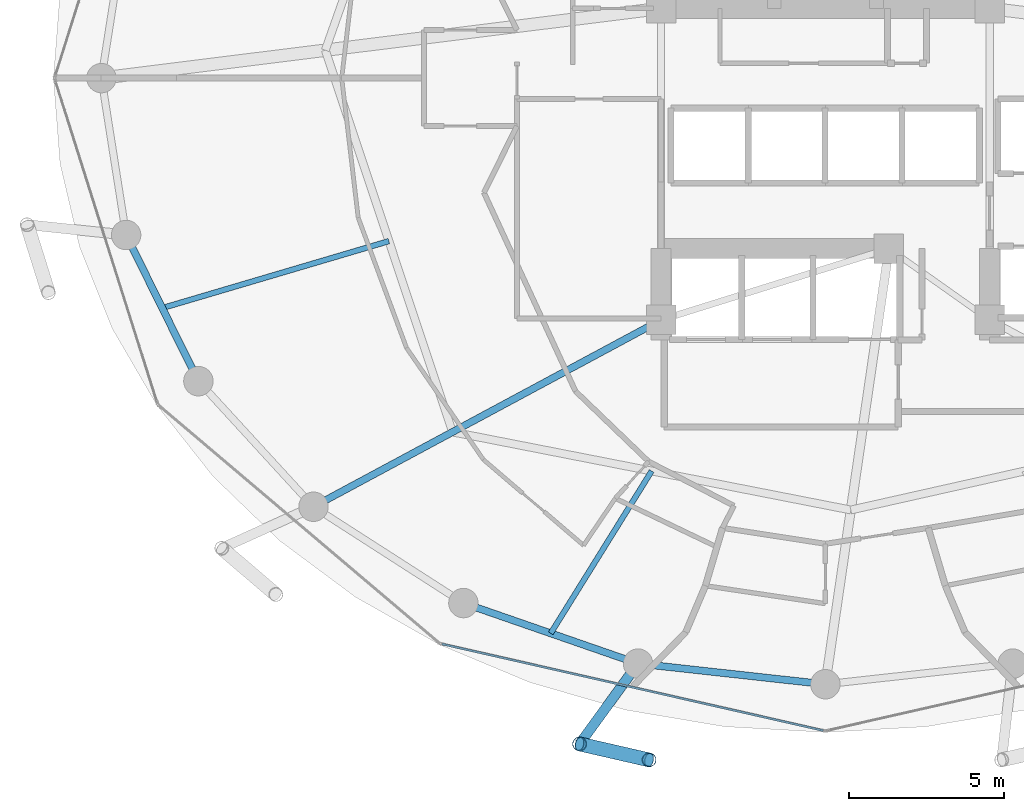
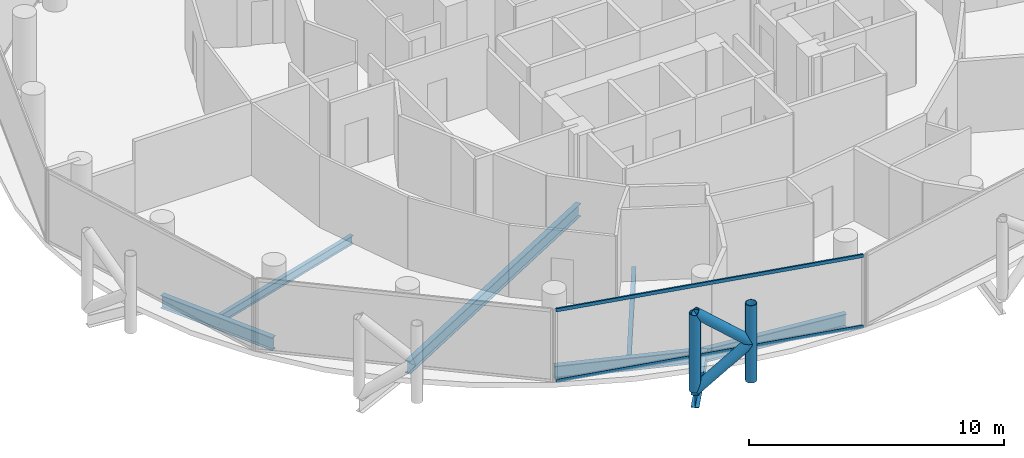
# One storey, part 3 of 26: 7 beams, 6 members, 1 element without a shape of its own.
"""IFC4 building model written with IfcOpenShell, lengths in metres."""

from ifc_helpers import new_model, si_unit, direction, frame, origin, origin_2d, place, context, subcontext, project, spatial, hollow_rectangle, hollow_circle, i_section, extrude, material, layer, layer_set, material_profile, profile_set, type_object, element, aggregate, save


model = new_model("IFC4")

# Units and contexts
model_context = context("Model", 3, precision=1e-05, world=origin(), true_north=direction((0.0, 1.0)))
body_context = subcontext(model_context, "Body", "Model", "MODEL_VIEW")
ifc_project = project(units=[si_unit("LENGTHUNIT", "METRE"), si_unit("AREAUNIT", "SQUARE_METRE"), si_unit("VOLUMEUNIT", "CUBIC_METRE"), si_unit("PLANEANGLEUNIT", "RADIAN"), si_unit("MASSUNIT", "GRAM", prefix="KILO")], contexts=[model_context])

# Site, building, storey
site_placement = place(None, origin())
site = spatial("IfcSite", under=ifc_project, at=site_placement, CompositionType="ELEMENT")
building_placement = place(site_placement, origin())
building = spatial("IfcBuilding", under=site, at=building_placement, Name="Nuhasar Tower", CompositionType="ELEMENT")
storey_placement = place(building_placement, frame((0.0, 0.0, 125.64990234375)))
storey = spatial("IfcBuildingStorey", under=building, at=storey_placement, Name="L29", CompositionType="ELEMENT", Elevation=125.64990234375)

# Beams
ifc_material_1 = material(Name="Steel S355", Category="steel")
ifc_material_profile_1 = material_profile(ifc_material_1, i_section(OverallWidth=0.177978515625, OverallDepth=0.406005859375, WebThickness=0.0078125, FlangeThickness=0.0126953125, at=origin_2d()), Name="W16X40")
ifc_profile_set_1 = profile_set([ifc_material_profile_1], Name="Steel S355")
beam_type_1 = type_object("IfcBeamType", Name="BM-JST-W16X40", PredefinedType="JOIST", material=ifc_profile_set_1)
beam_1_placement = place(storey_placement, frame((33.39697265625, 14.1279296875, -0.452880859375), z_axis=(-0.528139463011, -0.849157645912, 0.0), x_axis=(0.849157645912, -0.528139463011, 0.0)))
element("IfcBeam", 1, at=beam_1_placement, inside=storey, type_object=beam_type_1, Name="L29 Secondary Floor Joist 01", PredefinedType="JOIST", context=body_context, shape_type="SweptSolid", body=[
    extrude(i_section(OverallWidth=0.177978515625, OverallDepth=0.406005859375, WebThickness=0.0078125, FlangeThickness=0.0126953125, at=origin_2d()), origin(), (0.0, 0.0, 1.0), 6.164794921875),
])
beam_2_placement = place(storey_placement, frame((24.922119140625, 21.54296875, -0.452880859375), z_axis=(-0.959013356257, -0.283360869775, 0.0), x_axis=(0.283360869775, -0.959013356257, 0.0)))
element("IfcBeam", 2, at=beam_2_placement, inside=storey, type_object=beam_type_1, Name="L29 Secondary Floor Joist 08", PredefinedType="JOIST", context=body_context, shape_type="SweptSolid", body=[
    extrude(i_section(OverallWidth=0.177978515625, OverallDepth=0.406005859375, WebThickness=0.0078125, FlangeThickness=0.0126953125, at=origin_2d()), origin(), (0.0, 0.0, 1.0), 7.62255859375),
])
ifc_material_profile_2 = material_profile(ifc_material_1, i_section(OverallWidth=0.22900390625, OverallDepth=0.612060546875, WebThickness=0.011962890625, FlangeThickness=0.01953125, at=origin_2d()), Name="W24X84")
ifc_profile_set_2 = profile_set([ifc_material_profile_2], Name="Steel S355")
beam_type_2 = type_object("IfcBeamType", Name="BM-RAD-W24X84", PredefinedType="BEAM", material=ifc_profile_set_2)
beam_3_placement = place(storey_placement, frame((33.699951171875, 19.0, -0.555908203125), z_axis=(-0.880888386928, -0.473324043098, 0.0), x_axis=(0.473324043098, -0.880888386928, 0.0)))
element("IfcBeam", 3, at=beam_3_placement, inside=storey, type_object=beam_type_2, Name="L29 Radial Floor Girder 01", PredefinedType="BEAM", context=body_context, shape_type="SweptSolid", body=[
    extrude(i_section(OverallWidth=0.22900390625, OverallDepth=0.612060546875, WebThickness=0.011962890625, FlangeThickness=0.01953125, at=origin_2d()), origin(), (0.0, 0.0, 1.0), 12.726806640625),
])
ifc_material_profile_3 = material_profile(ifc_material_1, i_section(OverallWidth=0.22998046875, OverallDepth=0.616943359375, WebThickness=0.01318359375, FlangeThickness=0.022216796875, at=origin_2d()), Name="W24X94")
ifc_profile_set_3 = profile_set([ifc_material_profile_3], Name="Steel S355")
beam_type_3 = type_object("IfcBeamType", Name="BM-RING-W24X94", PredefinedType="SPANDREL", material=ifc_profile_set_3)
beam_4_placement = place(storey_placement, frame((16.446044921875, 21.739990234375, -0.557861328125), z_axis=(0.443329327657, -0.896358804966, 0.0), x_axis=(0.896358804966, 0.443329327657, 0.0)))
element("IfcBeam", 4, at=beam_4_placement, inside=storey, type_object=beam_type_3, Name="L29 Perimeter Ring Spandrel 14", PredefinedType="SPANDREL", context=body_context, shape_type="SweptSolid", body=[
    extrude(i_section(OverallWidth=0.22998046875, OverallDepth=0.616943359375, WebThickness=0.01318359375, FlangeThickness=0.022216796875, at=origin_2d()), origin(), (0.0, 0.0, 1.0), 5.26025390625),
])
beam_5_placement = place(storey_placement, frame((27.324951171875, 9.868896484375, -0.557861328125), z_axis=(0.944814057608, -0.327607076458, 0.0), x_axis=(0.327607076458, 0.944814057608, 0.0)))
element("IfcBeam", 5, at=beam_5_placement, inside=storey, type_object=beam_type_3, Name="L29 Perimeter Ring Spandrel 17", PredefinedType="SPANDREL", context=body_context, shape_type="SweptSolid", body=[
    extrude(i_section(OverallWidth=0.22998046875, OverallDepth=0.616943359375, WebThickness=0.01318359375, FlangeThickness=0.022216796875, at=origin_2d()), origin(), (0.0, 0.0, 1.0), 5.9609375),
])
beam_6_placement = place(storey_placement, frame((32.95703125, 7.916015625, -0.557861328125), z_axis=(0.993981289157, -0.109549974015, 0.0), x_axis=(0.109549974015, 0.993981289157, 0.0)))
element("IfcBeam", 6, at=beam_6_placement, inside=storey, type_object=beam_type_3, Name="L29 Perimeter Ring Spandrel 18", PredefinedType="SPANDREL", context=body_context, shape_type="SweptSolid", body=[
    extrude(i_section(OverallWidth=0.22998046875, OverallDepth=0.616943359375, WebThickness=0.01318359375, FlangeThickness=0.022216796875, at=origin_2d()), origin(), (0.0, 0.0, 1.0), 6.07958984375),
])
ifc_material_profile_4 = material_profile(ifc_material_1, i_section(OverallWidth=0.323974609375, OverallDepth=0.611083984375, WebThickness=0.0126953125, FlangeThickness=0.01904296875, at=origin_2d()), Name="W24X104")
ifc_profile_set_4 = profile_set([ifc_material_profile_4], Name="Steel S355")
beam_type_4 = type_object("IfcBeamType", Name="BM-TIE-W24X104", PredefinedType="BEAM", material=ifc_profile_set_4)
beam_7_placement = place(storey_placement, frame((32.95703125, 7.916015625, -0.554931640625), z_axis=(-0.588149050751, -0.808752554309, 0.0), x_axis=(0.808752554309, -0.588149050751, 0.0)))
element("IfcBeam", 7, at=beam_7_placement, inside=storey, type_object=beam_type_4, Name="L29 Exoskeleton Node Tie Beam 09", PredefinedType="BEAM", context=body_context, shape_type="SweptSolid", body=[
    extrude(i_section(OverallWidth=0.323974609375, OverallDepth=0.611083984375, WebThickness=0.0126953125, FlangeThickness=0.01904296875, at=origin_2d()), origin(), (0.0, 0.0, 1.0), 3.205078125),
])

# Curtain wall, members
ifc_material_2 = material(Name="Aluminium 6063-T6", Category="aluminium")
ifc_layer = layer(ifc_material_2, 0.199951171875)
ifc_layer_set = layer_set([ifc_layer], Name="Aluminium 6063-T6")
curtain_wall_type = type_object("IfcCurtainWallType", Name="CW-Z2-HTL", PredefinedType="NOTDEFINED", material=ifc_layer_set)
curtain_wall_placement = place(storey_placement, origin())
curtain_wall = element("IfcCurtainWall", 8, at=curtain_wall_placement, inside=storey, type_object=curtain_wall_type, Name="L29 Unitised Curtain Wall 09", PredefinedType="NOTDEFINED")
ifc_material_profile_5 = material_profile(ifc_material_2, hollow_rectangle(XDim=0.070068359375, YDim=0.159912109375, WallThickness=0.00439453125, at=origin_2d()), Name="CWT-3")
ifc_profile_set_5 = profile_set([ifc_material_profile_5], Name="Aluminium 6063-T6")
member_type_1 = type_object("IfcMemberType", Name="CW-TRN-S3", PredefinedType="USERDEFINED", material=ifc_profile_set_5)
member_1_placement = place(storey_placement, frame((26.63818359375, 8.54638671875, 0.03515625), z_axis=(0.975187615691, -0.221380022142, 0.0), x_axis=(0.221380022142, 0.975187615691, 0.0)))
member_1 = element("IfcMember", 9, at=member_1_placement, type_object=member_type_1, Name="CW-Z2 transom 1.1", ObjectType="TRANSOM", PredefinedType="USERDEFINED", context=body_context, shape_type="SweptSolid", body=[
    extrude(hollow_rectangle(XDim=0.070068359375, YDim=0.159912109375, WallThickness=0.00439453125, at=origin_2d()), origin(), (0.0, 0.0, 1.0), 12.606201171875),
])
member_2_placement = place(storey_placement, frame((26.63818359375, 8.54638671875, 3.4150390625), z_axis=(0.975187615691, -0.221380022142, 0.0), x_axis=(0.221380022142, 0.975187615691, 0.0)))
member_2 = element("IfcMember", 10, at=member_2_placement, type_object=member_type_1, Name="CW-Z2 transom 1.2", ObjectType="TRANSOM", PredefinedType="USERDEFINED", context=body_context, shape_type="SweptSolid", body=[
    extrude(hollow_rectangle(XDim=0.070068359375, YDim=0.159912109375, WallThickness=0.00439453125, at=origin_2d()), origin(), (0.0, 0.0, 1.0), 12.606201171875),
])
aggregate(curtain_wall, [member_1, member_2])

# Members
ifc_material_3 = material(Name="Steel S460", Category="steel")
ifc_material_profile_6 = material_profile(ifc_material_3, hollow_circle(Radius=0.228515625, WallThickness=0.022216796875, at=origin_2d()), Name="HSS457X22.2")
ifc_profile_set_6 = profile_set([ifc_material_profile_6], Name="Steel S460")
member_type_2 = type_object("IfcMemberType", Name="EXO-BRONZE-457", PredefinedType="BRACE", material=ifc_profile_set_6)
for number, where, z_axis, x_axis, name in (
    (11, (31.072021484375, 5.323974609375, 0.0), (0.0, 0.0, 1.0), (1.0, 0.0, 0.0), "L29 Exoskeleton Chord Column EC-09A"),
    (12, (33.31396484375, 4.81005859375, 0.0), (0.0, 0.0, 1.0), (1.0, 0.0, 0.0), "L29 Exoskeleton Chord Column EC-09B"),
):
    element("IfcMember", number, at=place(storey_placement, frame(where, z_axis=z_axis, x_axis=x_axis)), inside=storey, type_object=member_type_2, Name=name, PredefinedType="BRACE", context=body_context, shape_type="SweptSolid", body=[
        extrude(hollow_circle(Radius=0.228515625, WallThickness=0.022216796875, at=origin_2d()), origin(), (0.0, 0.0, 1.0), 3.7001953125),
    ])
for number, where, z_axis, x_axis, name in (
    (13, (31.072021484375, 5.323974609375, 0.0), (0.759510488094, -0.174101010284, 0.626763637022), (0.223432882746, 0.974719316987, 0.0), "L29 Bronze Diagrid Brace W1-09"),
    (14, (33.31396484375, 4.81005859375, 1.85009765625), (-0.759510488094, 0.174101010284, 0.626763637022), (-0.223432882746, -0.974719316987, 0.0), "L29 Bronze Diagrid Brace W2-09"),
):
    element("IfcMember", number, at=place(storey_placement, frame(where, z_axis=z_axis, x_axis=x_axis)), inside=storey, type_object=member_type_2, Name=name, PredefinedType="BRACE", context=body_context, shape_type="SweptSolid", body=[
        extrude(hollow_circle(Radius=0.228515625, WallThickness=0.022216796875, at=origin_2d()), origin(), (0.0, 0.0, 1.0), 2.951904296875),
    ])

save(model, "model.ifc")
